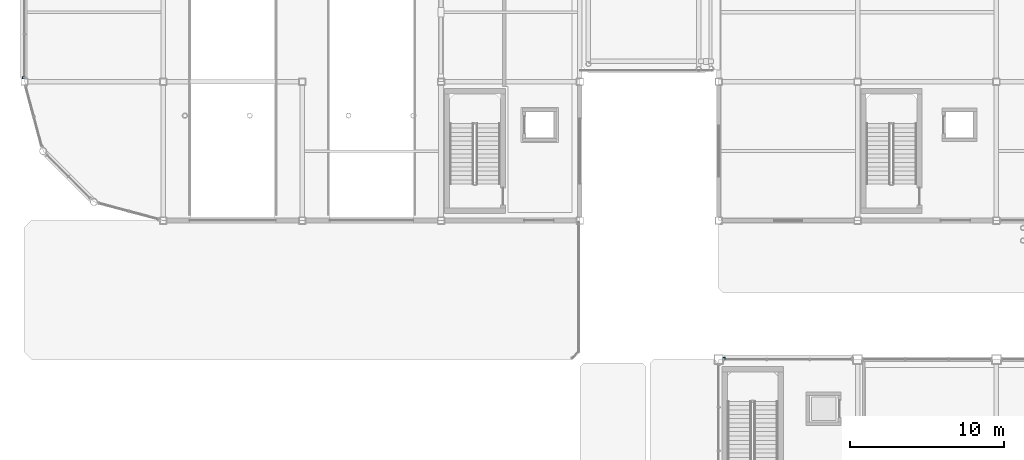
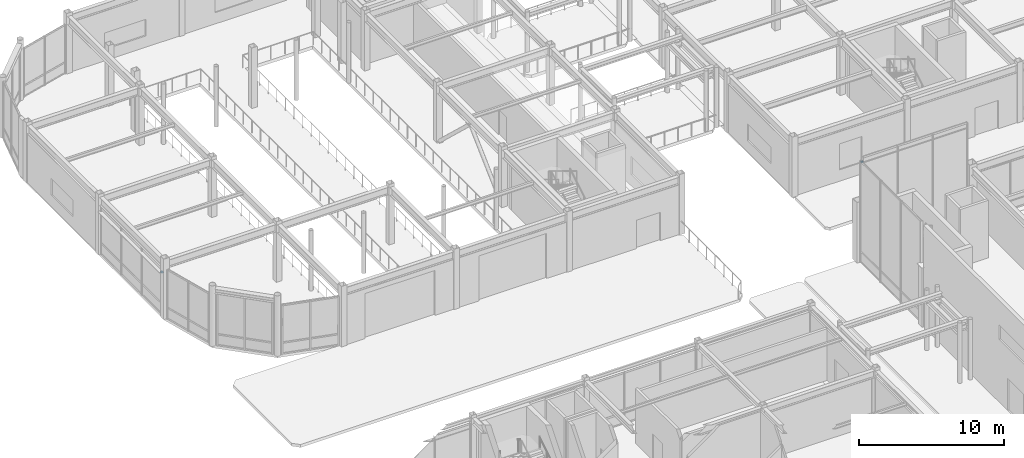
# One storey, part 98 of 123: 2 discrete accessories.
"""IFC4 building model written with IfcOpenShell, lengths in metres."""

from ifc_helpers import new_model, si_unit, direction, frame, origin, origin_2d, place, context, subcontext, project, spatial, rectangle, extrude, material, type_object, element, save


model = new_model("IFC4")

# Units and contexts
model_context = context("Model", 3, precision=1e-05, world=origin(), true_north=direction((0.0, 1.0)))
body_context = subcontext(model_context, "Body", "Model", "MODEL_VIEW")
ifc_project = project(units=[si_unit("LENGTHUNIT", "METRE"), si_unit("AREAUNIT", "SQUARE_METRE"), si_unit("VOLUMEUNIT", "CUBIC_METRE"), si_unit("PLANEANGLEUNIT", "RADIAN"), si_unit("MASSUNIT", "GRAM", prefix="KILO")], contexts=[model_context])

# Site, building, storey
site_placement = place(None, origin())
site = spatial("IfcSite", under=ifc_project, at=site_placement, CompositionType="ELEMENT")
building_placement = place(site_placement, origin())
building = spatial("IfcBuilding", under=site, at=building_placement, Name="Suzunagisa Mobility Hub", CompositionType="ELEMENT")
storey_placement = place(building_placement, origin())
storey = spatial("IfcBuildingStorey", under=building, at=storey_placement, Name="L00", CompositionType="ELEMENT", Elevation=0.0)

# Discrete accessories
ifc_material = material(Name="Stainless Steel SUS316", Category="metal")
discrete_accessory_type = type_object("IfcDiscreteAccessoryType", Name="Stainless Sunshade Outrigger Bracket BRK-01", PredefinedType="BRACKET", material=ifc_material)
for number, where, z_axis, x_axis, name in (
    (1, (45.33251953125, 71.0849609375, 8.08984375), (0.0, 0.0, 1.0), (-1.0, 0.0, 0.0), "Sunshade Outrigger Bracket BRK-11.2"),
    (2, (-0.0849609375, 89.257568359375, 3.64990234375), (0.0, 0.0, 1.0), (0.0, -1.0, 0.0), "Sunshade Outrigger Bracket BRK-12.2"),
):
    element("IfcDiscreteAccessory", number, at=place(storey_placement, frame(where, z_axis=z_axis, x_axis=x_axis)), inside=storey, type_object=discrete_accessory_type, Name=name, PredefinedType="BRACKET", context=body_context, shape_type="SweptSolid", body=[
        extrude(rectangle(XDim=0.159912109375, YDim=0.1201171875, at=origin_2d()), origin(), (0.0, 0.0, 1.0), 0.080078125),
    ])

save(model, "model.ifc")
